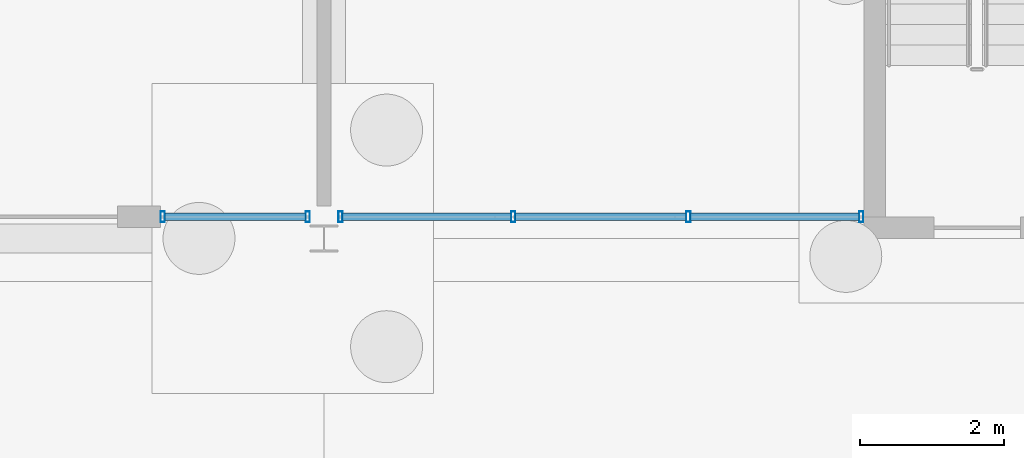
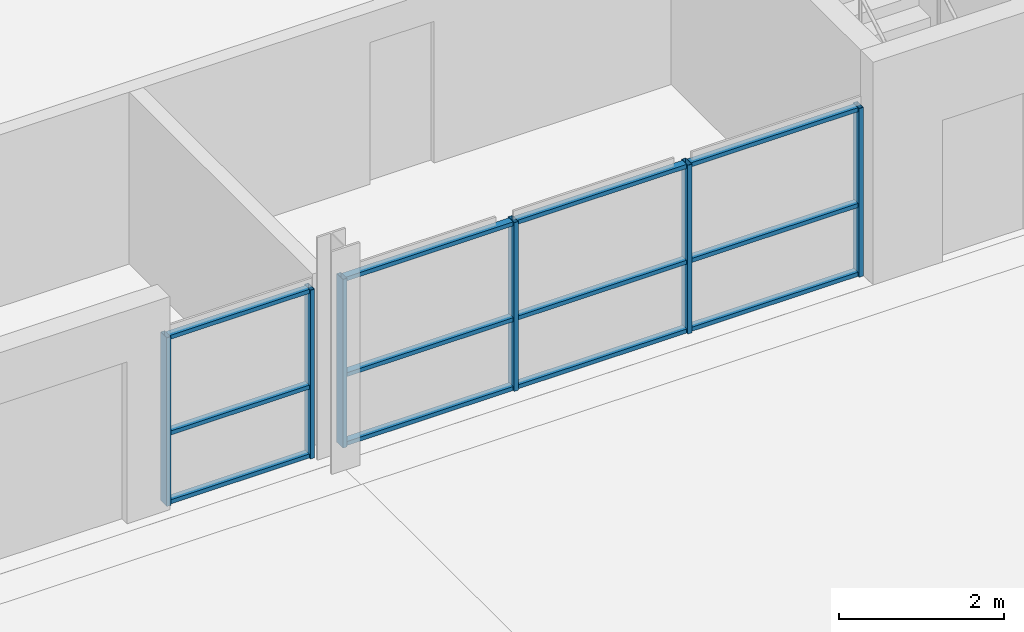
# One storey, part 50 of 130: 18 members, 2 elements without a shape of their own.
"""IFC4 building model written with IfcOpenShell, lengths in metres."""

from ifc_helpers import new_model, si_unit, direction, frame, origin, origin_2d, place, context, subcontext, project, spatial, hollow_rectangle, extrude, material, material_profile, profile_set, type_object, element, aggregate, save


model = new_model("IFC4")

# Units and contexts
model_context = context("Model", 3, precision=1e-05, world=origin(), true_north=direction((0.0, 1.0)))
body_context = subcontext(model_context, "Body", "Model", "MODEL_VIEW")
ifc_project = project(units=[si_unit("LENGTHUNIT", "METRE"), si_unit("AREAUNIT", "SQUARE_METRE"), si_unit("VOLUMEUNIT", "CUBIC_METRE"), si_unit("PLANEANGLEUNIT", "RADIAN"), si_unit("MASSUNIT", "GRAM", prefix="KILO")], contexts=[model_context])

# Site, building, storey
site_placement = place(None, origin())
site = spatial("IfcSite", under=ifc_project, at=site_placement, CompositionType="ELEMENT")
building_placement = place(site_placement, origin())
building = spatial("IfcBuilding", under=site, at=building_placement, Name="Parallax Yard Mobility Hub", CompositionType="ELEMENT")
storey_placement = place(building_placement, origin())
storey = spatial("IfcBuildingStorey", under=building, at=storey_placement, Name="L00", CompositionType="ELEMENT", Elevation=0.0)

# Curtain wall, members
ifc_material_1 = material(Name="Aluminium and glass curtain wall", Category="aluminium")
curtain_wall_type = type_object("IfcCurtainWallType", Name="Curtain wall, aluminium stick system", PredefinedType="NOTDEFINED", material=ifc_material_1)
curtain_wall_1_placement = place(storey_placement, origin())
curtain_wall_1 = element("IfcCurtainWall", 1, at=curtain_wall_1_placement, inside=storey, type_object=curtain_wall_type, Name="Curtain wall CW07 level L00 bay 4", PredefinedType="NOTDEFINED")
ifc_material_2 = material(Name="Aluminium 6063-T6 anodised", Category="aluminium")
ifc_material_profile_1 = material_profile(ifc_material_2, hollow_rectangle(XDim=0.14990234375, YDim=0.06005859375, WallThickness=0.00390625, at=origin_2d()), Name="RHS 60x150x4")
ifc_profile_set_1 = profile_set([ifc_material_profile_1], Name="Aluminium 6063-T6 anodised")
member_type_1 = type_object("IfcMemberType", Name="Curtain wall mullion RHS 60x150x4", PredefinedType="MULLION", material=ifc_profile_set_1)
member_1_placement = place(storey_placement, frame((57.75830078125, 112.800048828125, 0.0), z_axis=(0.0, 0.0, 1.0), x_axis=(0.0, 1.0, 0.0)))
member_1 = element("IfcMember", 2, at=member_1_placement, type_object=member_type_1, Name="CW07 mullion 1", PredefinedType="MULLION", context=body_context, shape_type="SweptSolid", body=[
    extrude(hollow_rectangle(XDim=0.14990234375, YDim=0.06005859375, WallThickness=0.00390625, at=origin_2d()), origin(), (0.0, 0.0, 1.0), 2.5),
])
member_2_placement = place(storey_placement, frame((59.77294921875, 112.800048828125, 0.0), z_axis=(0.0, 0.0, 1.0), x_axis=(0.0, 1.0, 0.0)))
member_2 = element("IfcMember", 3, at=member_2_placement, type_object=member_type_1, Name="CW07 mullion 2", PredefinedType="MULLION", context=body_context, shape_type="SweptSolid", body=[
    extrude(hollow_rectangle(XDim=0.14990234375, YDim=0.06005859375, WallThickness=0.00390625, at=origin_2d()), origin(), (0.0, 0.0, 1.0), 2.5),
])

curtain_wall_2_placement = place(storey_placement, origin())
curtain_wall_2 = element("IfcCurtainWall", 4, at=curtain_wall_2_placement, inside=storey, type_object=curtain_wall_type, Name="Curtain wall CW08 level L00 bay 5", PredefinedType="NOTDEFINED")
member_3_placement = place(storey_placement, frame((60.22705078125, 112.800048828125, 0.0), z_axis=(0.0, 0.0, 1.0), x_axis=(0.0, 1.0, 0.0)))
member_3 = element("IfcMember", 5, at=member_3_placement, type_object=member_type_1, Name="CW08 mullion 1", PredefinedType="MULLION", context=body_context, shape_type="SweptSolid", body=[
    extrude(hollow_rectangle(XDim=0.14990234375, YDim=0.06005859375, WallThickness=0.00390625, at=origin_2d()), origin(), (0.0, 0.0, 1.0), 2.5),
])
member_4_placement = place(storey_placement, frame((62.629638671875, 112.800048828125, 0.0), z_axis=(0.0, 0.0, 1.0), x_axis=(0.0, 1.0, 0.0)))
member_4 = element("IfcMember", 6, at=member_4_placement, type_object=member_type_1, Name="CW08 mullion 2", PredefinedType="MULLION", context=body_context, shape_type="SweptSolid", body=[
    extrude(hollow_rectangle(XDim=0.14990234375, YDim=0.06005859375, WallThickness=0.00390625, at=origin_2d()), origin(), (0.0, 0.0, 1.0), 2.5),
])
member_5_placement = place(storey_placement, frame((65.062255859375, 112.800048828125, 0.0), z_axis=(0.0, 0.0, 1.0), x_axis=(0.0, 1.0, 0.0)))
member_5 = element("IfcMember", 7, at=member_5_placement, type_object=member_type_1, Name="CW08 mullion 3", PredefinedType="MULLION", context=body_context, shape_type="SweptSolid", body=[
    extrude(hollow_rectangle(XDim=0.14990234375, YDim=0.06005859375, WallThickness=0.00390625, at=origin_2d()), origin(), (0.0, 0.0, 1.0), 2.5),
])
member_6_placement = place(storey_placement, frame((67.465087890625, 112.800048828125, 0.0), z_axis=(0.0, 0.0, 1.0), x_axis=(0.0, 1.0, 0.0)))
member_6 = element("IfcMember", 8, at=member_6_placement, type_object=member_type_1, Name="CW08 mullion 4", PredefinedType="MULLION", context=body_context, shape_type="SweptSolid", body=[
    extrude(hollow_rectangle(XDim=0.14990234375, YDim=0.06005859375, WallThickness=0.00390625, at=origin_2d()), origin(), (0.0, 0.0, 1.0), 2.5),
])

# Member
ifc_material_profile_2 = material_profile(ifc_material_2, hollow_rectangle(XDim=0.10009765625, YDim=0.06005859375, WallThickness=0.00390625, at=origin_2d()), Name="RHS 60x100x4")
ifc_profile_set_2 = profile_set([ifc_material_profile_2], Name="Aluminium 6063-T6 anodised")
member_type_2 = type_object("IfcMemberType", Name="Curtain wall transom RHS 60x100x4", PredefinedType="USERDEFINED", material=ifc_profile_set_2)
member_7_placement = place(storey_placement, frame((57.788330078125, 112.800048828125, 0.030029296875), z_axis=(1.0, 0.0, 0.0), x_axis=(0.0, 1.0, 0.0)))
member_7 = element("IfcMember", 9, at=member_7_placement, type_object=member_type_2, Name="CW07 transom 1.1", ObjectType="TRANSOM", PredefinedType="USERDEFINED", context=body_context, shape_type="SweptSolid", body=[
    extrude(hollow_rectangle(XDim=0.10009765625, YDim=0.06005859375, WallThickness=0.00390625, at=origin_2d()), origin(), (0.0, 0.0, 1.0), 1.95458984375),
])

member_8_placement = place(storey_placement, frame((57.788330078125, 112.800048828125, 1.050048828125), z_axis=(1.0, 0.0, 0.0), x_axis=(0.0, 1.0, 0.0)))
member_8 = element("IfcMember", 10, at=member_8_placement, type_object=member_type_2, Name="CW07 transom 1.2", ObjectType="TRANSOM", PredefinedType="USERDEFINED", context=body_context, shape_type="SweptSolid", body=[
    extrude(hollow_rectangle(XDim=0.10009765625, YDim=0.06005859375, WallThickness=0.00390625, at=origin_2d()), origin(), (0.0, 0.0, 1.0), 1.95458984375),
])

member_9_placement = place(storey_placement, frame((57.788330078125, 112.800048828125, 2.469970703125), z_axis=(1.0, 0.0, 0.0), x_axis=(0.0, 1.0, 0.0)))
member_9 = element("IfcMember", 11, at=member_9_placement, type_object=member_type_2, Name="CW07 transom 1.3", ObjectType="TRANSOM", PredefinedType="USERDEFINED", context=body_context, shape_type="SweptSolid", body=[
    extrude(hollow_rectangle(XDim=0.10009765625, YDim=0.06005859375, WallThickness=0.00390625, at=origin_2d()), origin(), (0.0, 0.0, 1.0), 1.95458984375),
])

aggregate(curtain_wall_1, [member_1, member_2, member_7, member_8, member_9])

member_10_placement = place(storey_placement, frame((60.257080078125, 112.800048828125, 0.030029296875), z_axis=(1.0, 0.0, 0.0), x_axis=(0.0, 1.0, 0.0)))
member_10 = element("IfcMember", 12, at=member_10_placement, type_object=member_type_2, Name="CW08 transom 1.1", ObjectType="TRANSOM", PredefinedType="USERDEFINED", context=body_context, shape_type="SweptSolid", body=[
    extrude(hollow_rectangle(XDim=0.10009765625, YDim=0.06005859375, WallThickness=0.00390625, at=origin_2d()), origin(), (0.0, 0.0, 1.0), 2.342529296875),
])

member_11_placement = place(storey_placement, frame((60.257080078125, 112.800048828125, 1.050048828125), z_axis=(1.0, 0.0, 0.0), x_axis=(0.0, 1.0, 0.0)))
member_11 = element("IfcMember", 13, at=member_11_placement, type_object=member_type_2, Name="CW08 transom 1.2", ObjectType="TRANSOM", PredefinedType="USERDEFINED", context=body_context, shape_type="SweptSolid", body=[
    extrude(hollow_rectangle(XDim=0.10009765625, YDim=0.06005859375, WallThickness=0.00390625, at=origin_2d()), origin(), (0.0, 0.0, 1.0), 2.342529296875),
])

member_12_placement = place(storey_placement, frame((60.257080078125, 112.800048828125, 2.469970703125), z_axis=(1.0, 0.0, 0.0), x_axis=(0.0, 1.0, 0.0)))
member_12 = element("IfcMember", 14, at=member_12_placement, type_object=member_type_2, Name="CW08 transom 1.3", ObjectType="TRANSOM", PredefinedType="USERDEFINED", context=body_context, shape_type="SweptSolid", body=[
    extrude(hollow_rectangle(XDim=0.10009765625, YDim=0.06005859375, WallThickness=0.00390625, at=origin_2d()), origin(), (0.0, 0.0, 1.0), 2.342529296875),
])

member_13_placement = place(storey_placement, frame((62.65966796875, 112.800048828125, 0.030029296875), z_axis=(1.0, 0.0, 0.0), x_axis=(0.0, 1.0, 0.0)))
member_13 = element("IfcMember", 15, at=member_13_placement, type_object=member_type_2, Name="CW08 transom 2.1", ObjectType="TRANSOM", PredefinedType="USERDEFINED", context=body_context, shape_type="SweptSolid", body=[
    extrude(hollow_rectangle(XDim=0.10009765625, YDim=0.06005859375, WallThickness=0.00390625, at=origin_2d()), origin(), (0.0, 0.0, 1.0), 2.37255859375),
])

member_14_placement = place(storey_placement, frame((62.65966796875, 112.800048828125, 1.050048828125), z_axis=(1.0, 0.0, 0.0), x_axis=(0.0, 1.0, 0.0)))
member_14 = element("IfcMember", 16, at=member_14_placement, type_object=member_type_2, Name="CW08 transom 2.2", ObjectType="TRANSOM", PredefinedType="USERDEFINED", context=body_context, shape_type="SweptSolid", body=[
    extrude(hollow_rectangle(XDim=0.10009765625, YDim=0.06005859375, WallThickness=0.00390625, at=origin_2d()), origin(), (0.0, 0.0, 1.0), 2.37255859375),
])

member_15_placement = place(storey_placement, frame((62.65966796875, 112.800048828125, 2.469970703125), z_axis=(1.0, 0.0, 0.0), x_axis=(0.0, 1.0, 0.0)))
member_15 = element("IfcMember", 17, at=member_15_placement, type_object=member_type_2, Name="CW08 transom 2.3", ObjectType="TRANSOM", PredefinedType="USERDEFINED", context=body_context, shape_type="SweptSolid", body=[
    extrude(hollow_rectangle(XDim=0.10009765625, YDim=0.06005859375, WallThickness=0.00390625, at=origin_2d()), origin(), (0.0, 0.0, 1.0), 2.37255859375),
])

member_16_placement = place(storey_placement, frame((65.09228515625, 112.800048828125, 0.030029296875), z_axis=(1.0, 0.0, 0.0), x_axis=(0.0, 1.0, 0.0)))
member_16 = element("IfcMember", 18, at=member_16_placement, type_object=member_type_2, Name="CW08 transom 3.1", ObjectType="TRANSOM", PredefinedType="USERDEFINED", context=body_context, shape_type="SweptSolid", body=[
    extrude(hollow_rectangle(XDim=0.10009765625, YDim=0.06005859375, WallThickness=0.00390625, at=origin_2d()), origin(), (0.0, 0.0, 1.0), 2.3427734375),
])

member_17_placement = place(storey_placement, frame((65.09228515625, 112.800048828125, 1.050048828125), z_axis=(1.0, 0.0, 0.0), x_axis=(0.0, 1.0, 0.0)))
member_17 = element("IfcMember", 19, at=member_17_placement, type_object=member_type_2, Name="CW08 transom 3.2", ObjectType="TRANSOM", PredefinedType="USERDEFINED", context=body_context, shape_type="SweptSolid", body=[
    extrude(hollow_rectangle(XDim=0.10009765625, YDim=0.06005859375, WallThickness=0.00390625, at=origin_2d()), origin(), (0.0, 0.0, 1.0), 2.3427734375),
])

member_18_placement = place(storey_placement, frame((65.09228515625, 112.800048828125, 2.469970703125), z_axis=(1.0, 0.0, 0.0), x_axis=(0.0, 1.0, 0.0)))
member_18 = element("IfcMember", 20, at=member_18_placement, type_object=member_type_2, Name="CW08 transom 3.3", ObjectType="TRANSOM", PredefinedType="USERDEFINED", context=body_context, shape_type="SweptSolid", body=[
    extrude(hollow_rectangle(XDim=0.10009765625, YDim=0.06005859375, WallThickness=0.00390625, at=origin_2d()), origin(), (0.0, 0.0, 1.0), 2.3427734375),
])

aggregate(curtain_wall_2, [member_3, member_4, member_5, member_6, member_10, member_11, member_12, member_13, member_14, member_15, member_16, member_17, member_18])

save(model, "model.ifc")
